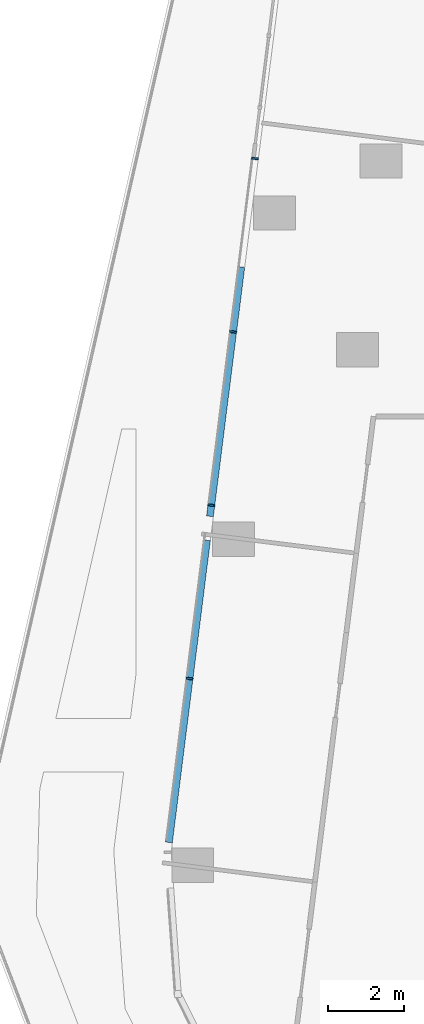
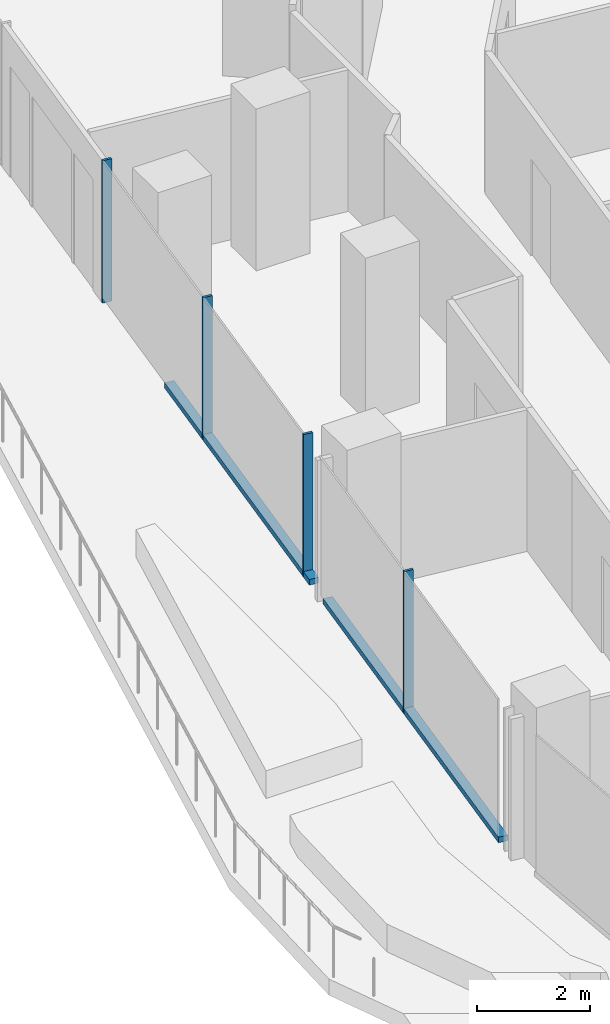
# One storey, part 3 of 29: 6 members, 1 element without a shape of its own.
"""IFC4 building model written with IfcOpenShell, lengths in metres."""

from ifc_helpers import new_model, si_unit, direction, frame, origin, origin_2d, place, context, subcontext, project, spatial, rectangle, extrude, material, material_profile, profile_set, type_object, element, aggregate, save


model = new_model("IFC4")

# Units and contexts
model_context = context("Model", 3, precision=1e-05, world=origin(), true_north=direction((0.0, 1.0)))
body_context = subcontext(model_context, "Body", "Model", "MODEL_VIEW")
ifc_project = project(units=[si_unit("LENGTHUNIT", "METRE"), si_unit("AREAUNIT", "SQUARE_METRE"), si_unit("VOLUMEUNIT", "CUBIC_METRE"), si_unit("PLANEANGLEUNIT", "RADIAN"), si_unit("MASSUNIT", "GRAM", prefix="KILO")], contexts=[model_context])

# Site, building, storey
site_placement = place(None, origin())
site = spatial("IfcSite", under=ifc_project, at=site_placement, CompositionType="ELEMENT")
building_placement = place(site_placement, origin())
building = spatial("IfcBuilding", under=site, at=building_placement, Name="Orlundy Tower", CompositionType="ELEMENT")
storey_placement = place(building_placement, frame((0.0, 0.0, 188.60009765625)))
storey = spatial("IfcBuildingStorey", under=building, at=storey_placement, Name="L49", CompositionType="ELEMENT", Elevation=188.60009765625)

# Curtain wall, members
ifc_material_1 = material(Name="Aluminium bronze anodised", Category="aluminium")
curtain_wall_type = type_object("IfcCurtainWallType", Name="CW1 wall", PredefinedType="NOTDEFINED", material=ifc_material_1)
curtain_wall_placement = place(storey_placement, origin())
curtain_wall = element("IfcCurtainWall", 1, at=curtain_wall_placement, inside=storey, type_object=curtain_wall_type, Name="CW1 run 00", PredefinedType="NOTDEFINED")
ifc_material_2 = material(Name="Aluminium bronze anodised", Category="aluminium")
ifc_material_profile_1 = material_profile(ifc_material_2, rectangle(XDim=0.179931640625, YDim=0.050048828125, at=origin_2d()), Name="CW1 mullion 50x180")
ifc_profile_set_1 = profile_set([ifc_material_profile_1], Name="Aluminium bronze anodised")
member_type_1 = type_object("IfcMemberType", Name="CW1 mullion 50x180", PredefinedType="MULLION", material=ifc_profile_set_1)
member_1_placement = place(storey_placement, frame((-25.598876953125, -42.550048828125, 0.0), z_axis=(0.0, 0.0, 1.0), x_axis=(-0.992186526754, 0.124763360518, 0.0)))
member_1 = element("IfcMember", 2, at=member_1_placement, type_object=member_type_1, Name="CW1 mullion 2", PredefinedType="MULLION", context=body_context, shape_type="SweptSolid", body=[
    extrude(rectangle(XDim=0.179931640625, YDim=0.050048828125, at=origin_2d()), origin(), (0.0, 0.0, 1.0), 3.079833984375),
])
member_2_placement = place(storey_placement, frame((-25.0263671875, -37.9970703125, 0.0), z_axis=(0.0, 0.0, 1.0), x_axis=(-0.992186526754, 0.124763360518, 0.0)))
member_2 = element("IfcMember", 3, at=member_2_placement, type_object=member_type_1, Name="CW1 mullion 3", PredefinedType="MULLION", context=body_context, shape_type="SweptSolid", body=[
    extrude(rectangle(XDim=0.179931640625, YDim=0.050048828125, at=origin_2d()), origin(), (0.0, 0.0, 1.0), 3.079833984375),
])
member_3_placement = place(storey_placement, frame((-24.453857421875, -33.4443359375, 0.0), z_axis=(0.0, 0.0, 1.0), x_axis=(-0.992186526754, 0.124763360518, 0.0)))
member_3 = element("IfcMember", 4, at=member_3_placement, type_object=member_type_1, Name="CW1 mullion 4", PredefinedType="MULLION", context=body_context, shape_type="SweptSolid", body=[
    extrude(rectangle(XDim=0.179931640625, YDim=0.050048828125, at=origin_2d()), origin(), (0.0, 0.0, 1.0), 3.079833984375),
])
member_4_placement = place(storey_placement, frame((-23.88134765625, -28.891357421875, 0.0), z_axis=(0.0, 0.0, 1.0), x_axis=(-0.992186526754, 0.124763360518, 0.0)))
member_4 = element("IfcMember", 5, at=member_4_placement, type_object=member_type_1, Name="CW1 mullion 5", PredefinedType="MULLION", context=body_context, shape_type="SweptSolid", body=[
    extrude(rectangle(XDim=0.179931640625, YDim=0.050048828125, at=origin_2d()), origin(), (0.0, 0.0, 1.0), 3.079833984375),
])
ifc_material_3 = material(Name="Aluminium bronze anodised", Category="aluminium")
ifc_material_profile_2 = material_profile(ifc_material_3, rectangle(XDim=0.179931640625, YDim=0.1201171875, at=origin_2d()), Name="CW1 transom 180x120")
ifc_profile_set_2 = profile_set([ifc_material_profile_2], Name="Aluminium bronze anodised")
member_type_2 = type_object("IfcMemberType", Name="CW1 transom 180x120", PredefinedType="USERDEFINED", material=ifc_profile_set_2)
member_5_placement = place(storey_placement, frame((-26.14013671875, -46.85400390625, 0.059814453125), z_axis=(0.124767189185, 0.992186045307, 0.0), x_axis=(-0.992186045307, 0.124767189185, 0.0)))
member_5 = element("IfcMember", 6, at=member_5_placement, type_object=member_type_2, Name="CW1 transom", ObjectType="TRANSOM", PredefinedType="USERDEFINED", context=body_context, shape_type="SweptSolid", body=[
    extrude(rectangle(XDim=0.179931640625, YDim=0.1201171875, at=origin_2d()), origin(), (0.0, 0.0, 1.0), 7.999267578125),
])
member_6_placement = place(storey_placement, frame((-25.06298828125, -38.2880859375, 0.059814453125), z_axis=(0.124790348539, 0.992183132749, 0.0), x_axis=(-0.992183132749, 0.124790348539, 0.0)))
member_6 = element("IfcMember", 7, at=member_6_placement, type_object=member_type_2, Name="CW1 transom", ObjectType="TRANSOM", PredefinedType="USERDEFINED", context=body_context, shape_type="SweptSolid", body=[
    extrude(rectangle(XDim=0.179931640625, YDim=0.1201171875, at=origin_2d()), origin(), (0.0, 0.0, 1.0), 6.600830078125),
])
aggregate(curtain_wall, [member_1, member_2, member_3, member_4, member_5, member_6])

save(model, "model.ifc")
